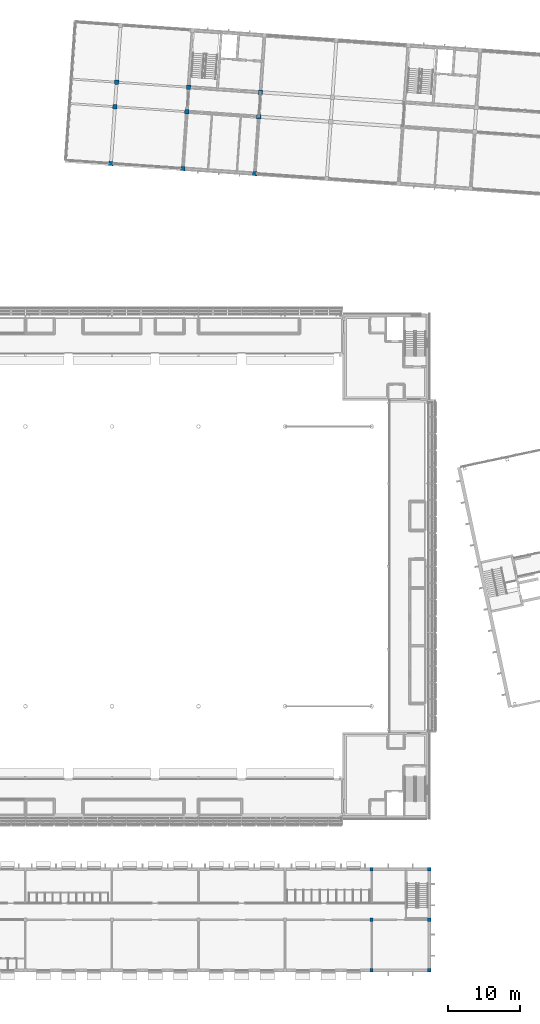
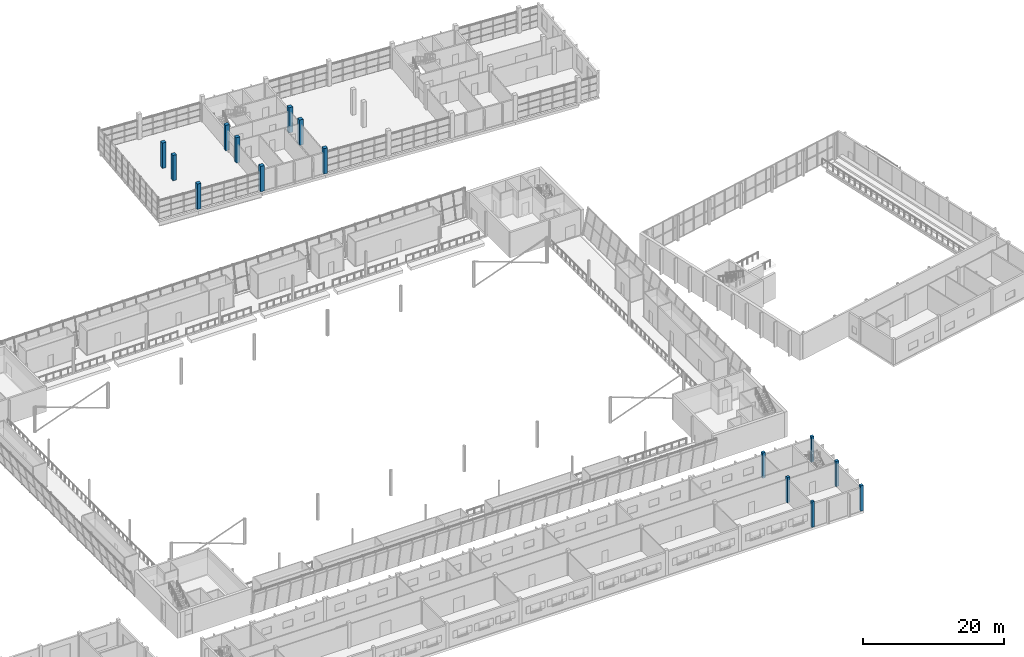
# One storey, part 18 of 115: 15 columns.
"""IFC4 building model written with IfcOpenShell, lengths in metres."""

from ifc_helpers import new_model, si_unit, direction, frame, origin, origin_2d, place, context, subcontext, project, spatial, rectangle, extrude, material, material_profile, profile_set, type_object, element, save


model = new_model("IFC4")

# Units and contexts
model_context = context("Model", 3, precision=1e-05, world=origin(), true_north=direction((0.0, 1.0)))
body_context = subcontext(model_context, "Body", "Model", "MODEL_VIEW")
ifc_project = project(units=[si_unit("LENGTHUNIT", "METRE"), si_unit("AREAUNIT", "SQUARE_METRE"), si_unit("VOLUMEUNIT", "CUBIC_METRE"), si_unit("PLANEANGLEUNIT", "RADIAN"), si_unit("MASSUNIT", "GRAM", prefix="KILO")], contexts=[model_context])

# Site, building, storey
site_placement = place(None, origin())
site = spatial("IfcSite", under=ifc_project, at=site_placement, CompositionType="ELEMENT")
building_placement = place(site_placement, origin())
building = spatial("IfcBuilding", under=site, at=building_placement, Name="Windward Yard Aquatics Centre", CompositionType="ELEMENT")
storey_placement = place(building_placement, frame((0.0, 0.0, 5.0)))
storey = spatial("IfcBuildingStorey", under=building, at=storey_placement, Name="L01", CompositionType="ELEMENT", Elevation=5.0)

# Columns
ifc_material_1 = material(Name="Concrete C35/45", Category="concrete")
ifc_material_profile_1 = material_profile(ifc_material_1, rectangle(XDim=0.449951171875, YDim=0.449951171875, at=origin_2d()), Name="RC 450X450")
ifc_profile_set_1 = profile_set([ifc_material_profile_1], Name="Concrete C35/45")
column_type_1 = type_object("IfcColumnType", Name="C column RC 450X450", PredefinedType="COLUMN", material=ifc_profile_set_1)
for number, where, z_axis, x_axis, name in (
    (1, (144.0, 5.0, 0.0), (0.0, 0.0, 1.0), (1.0, 0.0, 0.0), "C.COL.L01.9.1"),
    (2, (144.0, 12.0, 0.0), (0.0, 0.0, 1.0), (1.0, 0.0, 0.0), "C.COL.L01.9.2"),
    (3, (144.0, 19.0, 0.0), (0.0, 0.0, 1.0), (1.0, 0.0, 0.0), "C.COL.L01.9.3"),
    (4, (152.0, 5.0, 0.0), (0.0, 0.0, 1.0), (1.0, 0.0, 0.0), "C.COL.L01.10.1"),
    (5, (152.0, 12.0, 0.0), (0.0, 0.0, 1.0), (1.0, 0.0, 0.0), "C.COL.L01.10.2"),
    (6, (152.0, 19.0, 0.0), (0.0, 0.0, 1.0), (1.0, 0.0, 0.0), "C.COL.L01.10.3"),
):
    element("IfcColumn", number, at=place(storey_placement, frame(where, z_axis=z_axis, x_axis=x_axis)), inside=storey, type_object=column_type_1, Name=name, PredefinedType="COLUMN", context=body_context, shape_type="SweptSolid", body=[
        extrude(rectangle(XDim=0.449951171875, YDim=0.449951171875, at=origin_2d()), origin(), (0.0, 0.0, 1.0), 4.39990234375),
    ])
ifc_material_2 = material(Name="Concrete C50/60", Category="concrete")
ifc_material_profile_2 = material_profile(ifc_material_2, rectangle(XDim=0.60009765625, YDim=0.60009765625, at=origin_2d()), Name="RC 600x600")
ifc_profile_set_2 = profile_set([ifc_material_profile_2], Name="Concrete C50/60")
column_type_2 = type_object("IfcColumnType", Name="W RC 600x600 column Concrete C50/60", PredefinedType="COLUMN", material=ifc_profile_set_2)
for number, where, z_axis, x_axis, name in (
    (7, (107.86328125, 116.864990234375, 0.0), (0.0, 0.0, 1.0), (0.99756405026, -0.069756473744, 0.0), "W.COL.L01.1A"),
    (8, (108.414306640625, 124.745849609375, 0.0), (0.0, 0.0, 1.0), (0.99756405026, -0.069756473744, 0.0), "W.COL.L01.1B"),
    (9, (108.651611328125, 128.1376953125, 0.0), (0.0, 0.0, 1.0), (0.99756405026, -0.069756473744, 0.0), "W.COL.L01.1C"),
    (10, (117.8388671875, 116.16748046875, 0.0), (0.0, 0.0, 1.0), (0.99756405026, -0.069756473744, 0.0), "W.COL.L01.2A"),
    (11, (118.389892578125, 124.04833984375, 0.0), (0.0, 0.0, 1.0), (0.99756405026, -0.069756473744, 0.0), "W.COL.L01.2B"),
    (12, (118.627197265625, 127.43994140625, 0.0), (0.0, 0.0, 1.0), (0.99756405026, -0.069756473744, 0.0), "W.COL.L01.2C"),
    (13, (127.814453125, 115.469970703125, 0.0), (0.0, 0.0, 1.0), (0.99756405026, -0.069756473744, 0.0), "W.COL.L01.3A"),
    (14, (128.365478515625, 123.3505859375, 0.0), (0.0, 0.0, 1.0), (0.99756405026, -0.069756473744, 0.0), "W.COL.L01.3B"),
    (15, (128.602783203125, 126.742431640625, 0.0), (0.0, 0.0, 1.0), (0.99756405026, -0.069756473744, 0.0), "W.COL.L01.3C"),
):
    element("IfcColumn", number, at=place(storey_placement, frame(where, z_axis=z_axis, x_axis=x_axis)), inside=storey, type_object=column_type_2, Name=name, PredefinedType="COLUMN", context=body_context, shape_type="SweptSolid", body=[
        extrude(rectangle(XDim=0.60009765625, YDim=0.60009765625, at=origin_2d()), origin(), (0.0, 0.0, 1.0), 4.39990234375),
    ])

save(model, "model.ifc")
